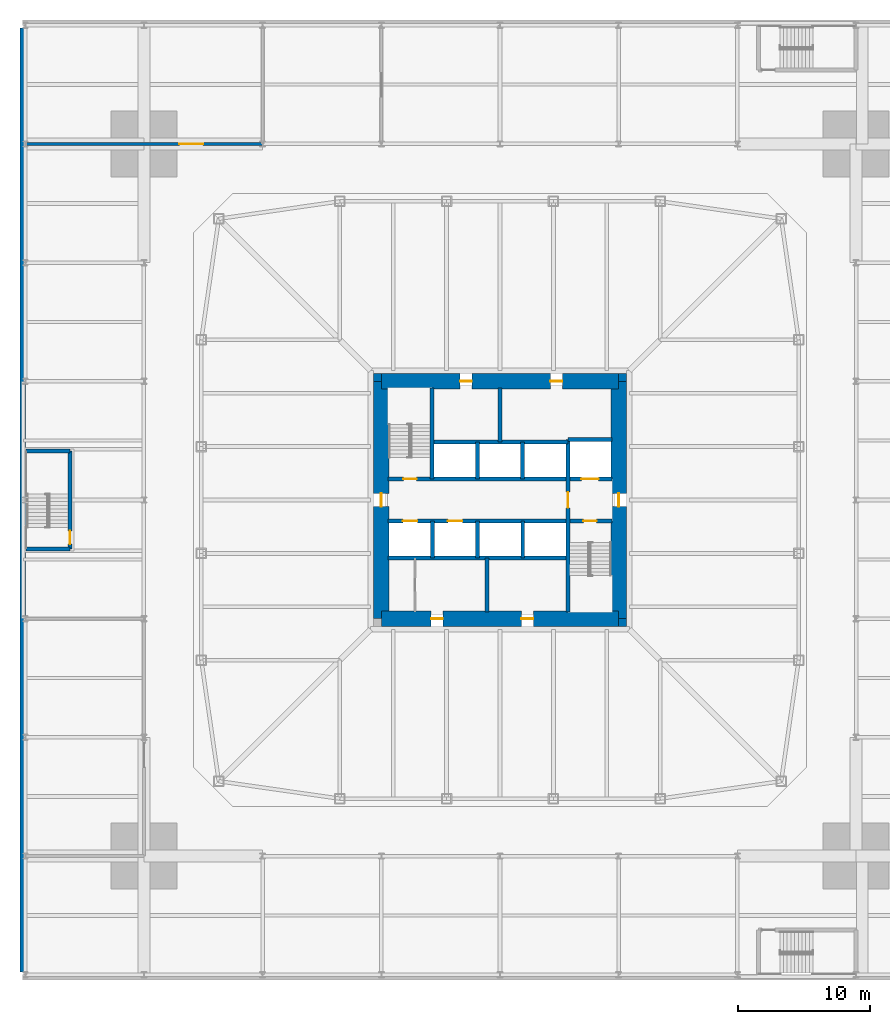
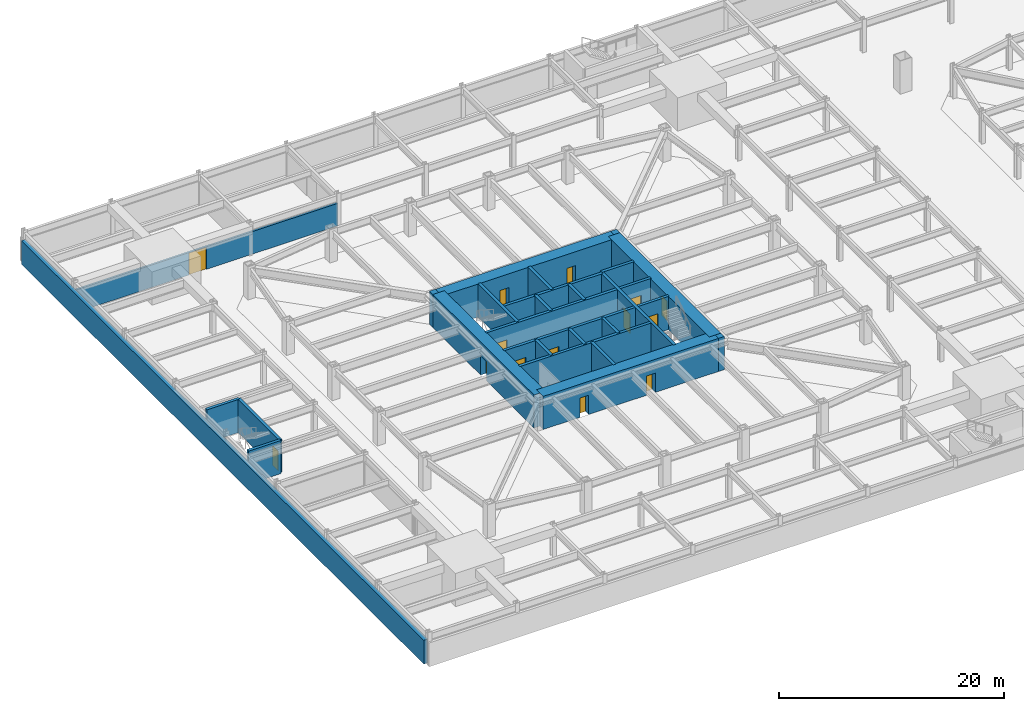
# One storey, part 12 of 17: 26 walls, 14 doors, 14 openings.
"""IFC4 building model written with IfcOpenShell, lengths in metres."""

from ifc_helpers import new_model, si_unit, direction, frame, frame_2d, origin, place, context, subcontext, project, spatial, rectangle, extrude, material, layer, layer_set, type_object, element, fill, save


model = new_model("IFC4")

# Units and contexts
model_context = context("Model", 3, precision=1e-05, world=origin(), true_north=direction((0.0, 1.0)))
body_context = subcontext(model_context, "Body", "Model", "MODEL_VIEW")
ifc_project = project(units=[si_unit("LENGTHUNIT", "METRE"), si_unit("AREAUNIT", "SQUARE_METRE"), si_unit("VOLUMEUNIT", "CUBIC_METRE"), si_unit("PLANEANGLEUNIT", "RADIAN"), si_unit("MASSUNIT", "GRAM", prefix="KILO")], contexts=[model_context])

# Site, building, storey
site_placement = place(None, origin())
site = spatial("IfcSite", under=ifc_project, at=site_placement, CompositionType="ELEMENT")
building_placement = place(site_placement, origin())
building = spatial("IfcBuilding", under=site, at=building_placement, Name="Iwan Alto Co-Living Towers", CompositionType="ELEMENT")
storey_placement = place(building_placement, frame((0.0, 0.0, -3.60009765625)))
storey = spatial("IfcBuildingStorey", under=building, at=storey_placement, Name="B1", CompositionType="ELEMENT", Elevation=-3.60009765625)

# Wall
ifc_material_1 = material(Name="Concrete f'c 70 MPa", Category="concrete")
ifc_layer_1 = layer(ifc_material_1, 0.39990234375)
ifc_layer_set_1 = layer_set([ifc_layer_1], Name="BASEMENT RETAINING WALL 400")
wall_type_1 = type_object("IfcWallType", Name="BASEMENT RETAINING WALL 400", PredefinedType="SOLIDWALL", material=ifc_layer_set_1)
wall_1_placement = place(storey_placement, frame((-36.199951171875, 35.800048828125, 0.0), z_axis=(0.0, 0.0, 1.0), x_axis=(0.0, -1.0, 0.0)))
element("IfcWall", 1, at=wall_1_placement, inside=storey, type_object=wall_type_1, Name="Basement retaining wall W B1", PredefinedType="SOLIDWALL", context=body_context, shape_type="SweptSolid", body=[
    extrude(rectangle(XDim=71.60009765625, YDim=0.39990234375, at=frame_2d((35.800048828125, 0.0))), origin(), (0.0, 0.0, 1.0), 2.58056640625),
])

# Wall, opening, door
ifc_material_2 = material(Name="Concrete block masonry f*p 10 MPa", Category="masonry")
ifc_layer_2 = layer(ifc_material_2, 0.199951171875)
ifc_layer_set_2 = layer_set([ifc_layer_2], Name="PODIUM INTERNAL WALL 200")
wall_type_2 = type_object("IfcWallType", Name="PODIUM INTERNAL WALL 200", PredefinedType="SOLIDWALL", material=ifc_layer_set_2)
wall_2_placement = place(storey_placement, frame((-35.93994140625, 27.0, 0.0), z_axis=(0.0, 0.0, 1.0), x_axis=(1.0, 0.0, 0.0)))
wall_2 = element("IfcWall", 2, at=wall_2_placement, inside=storey, type_object=wall_type_2, Name="Partition B1", PredefinedType="SOLIDWALL", context=body_context, shape_type="SweptSolid", body=[
    extrude(rectangle(XDim=26.93994140625, YDim=0.199951171875, at=frame_2d((13.469970703125, 0.0))), origin(), (0.0, 0.0, 1.0), 2.4501953125),
])
opening_1_placement = place(wall_2_placement, frame((11.6201171875, 0.0, 0.0)))
opening_1 = element("IfcOpeningElement", 3, at=opening_1_placement, cuts=wall_2, Name="Opening D10", PredefinedType="OPENING", context=body_context, shape_type="SweptSolid", body=[
    extrude(rectangle(XDim=1.800048828125, YDim=2.39990234375, at=frame_2d((0.89990234375, 1.199951171875))), frame((0.0, 0.10986328125, 0.0), z_axis=(0.0, -1.0, 0.0), x_axis=(1.0, 0.0, 0.0)), (0.0, 0.0, 1.0), 0.219970703125),
])
ifc_material_3 = material(Name="Steel frame with timber leaf", Category="steel")
door_type_1 = type_object("IfcDoorType", Name="PLANT ROOM DOOR FD60 1800X2400", OperationType="DOUBLE_DOOR_SINGLE_SWING", PredefinedType="DOOR", material=ifc_material_3)
door_1_placement = place(opening_1_placement, origin())
door_1 = element("IfcDoor", 4, at=door_1_placement, inside=storey, type_object=door_type_1, Name="Electrical substation door B1", OperationType="DOUBLE_DOOR_SINGLE_SWING", OverallHeight=2.39990234375, OverallWidth=1.800048828125, PredefinedType="DOOR", context=body_context, shape_type="SweptSolid", body=[
    extrude(rectangle(XDim=1.800048828125, YDim=2.39990234375, at=frame_2d((0.89990234375, 1.199951171875))), frame((0.0, 0.02490234375, 0.0), z_axis=(0.0, -1.0, 0.0), x_axis=(1.0, 0.0, 0.0)), (0.0, 0.0, 1.0), 0.050048828125),
])
fill(opening_1, door_1)

# Walls
ifc_material_4 = material(Name="Concrete f'c 70 MPa", Category="concrete")
ifc_layer_3 = layer(ifc_material_4, 0.300048828125)
ifc_layer_set_3 = layer_set([ifc_layer_3], Name="SHAFT WALL 300")
wall_type_3 = type_object("IfcWallType", Name="SHAFT WALL 300", PredefinedType="SOLIDWALL", material=ifc_layer_set_3)
wall_3_placement = place(storey_placement, frame((-8.489990234375, -4.39990234375, 0.0), z_axis=(0.0, 0.0, 1.0), x_axis=(1.0, 0.0, 0.0)))
element("IfcWall", 5, at=wall_3_placement, inside=storey, type_object=wall_type_3, Name="Shaft wall B1", PredefinedType="SOLIDWALL", context=body_context, shape_type="SweptSolid", body=[
    extrude(rectangle(XDim=13.639892578125, YDim=0.300048828125, at=frame_2d((6.81982421875, 0.0))), origin(), (0.0, 0.0, 1.0), 3.60009765625),
])
wall_4_placement = place(storey_placement, frame((-35.93994140625, -3.699951171875, 0.0), z_axis=(0.0, 0.0, 1.0), x_axis=(1.0, 0.0, 0.0)))
element("IfcWall", 6, at=wall_4_placement, inside=storey, type_object=wall_type_3, Name="Shaft wall B1", PredefinedType="SOLIDWALL", context=body_context, shape_type="SweptSolid", body=[
    extrude(rectangle(XDim=3.33984375, YDim=0.300048828125, at=frame_2d((1.669921875, 0.0))), origin(), (0.0, 0.0, 1.0), 3.60009765625),
])

# Wall, openings, doors
wall_5_placement = place(storey_placement, frame((-8.489990234375, -1.60009765625, 0.0), z_axis=(0.0, 0.0, 1.0), x_axis=(1.0, 0.0, 0.0)))
wall_5 = element("IfcWall", 7, at=wall_5_placement, inside=storey, type_object=wall_type_3, Name="Shaft wall B1", PredefinedType="SOLIDWALL", context=body_context, shape_type="SweptSolid", body=[
    extrude(rectangle(XDim=16.97998046875, YDim=0.300048828125, at=frame_2d((8.489990234375, 0.0))), origin(), (0.0, 0.0, 1.0), 3.60009765625),
])
opening_2_placement = place(wall_5_placement, frame((14.81005859375, 0.0, 0.0)))
opening_2 = element("IfcOpeningElement", 8, at=opening_2_placement, cuts=wall_5, Name="Opening D5", PredefinedType="OPENING", context=body_context, shape_type="SweptSolid", body=[
    extrude(rectangle(XDim=1.0, YDim=2.10009765625, at=frame_2d((0.5, 1.050048828125))), frame((0.0, 0.159912109375, 0.0), z_axis=(0.0, -1.0, 0.0), x_axis=(1.0, 0.0, 0.0)), (0.0, 0.0, 1.0), 0.320068359375),
])
opening_3_placement = place(wall_5_placement, frame((1.133056640625, 0.0, 0.0)))
opening_3 = element("IfcOpeningElement", 9, at=opening_3_placement, cuts=wall_5, Name="Opening LD", PredefinedType="OPENING", context=body_context, shape_type="SweptSolid", body=[
    extrude(rectangle(XDim=1.10009765625, YDim=2.10009765625, at=frame_2d((0.550048828125, 1.050048828125))), frame((0.0, 0.159912109375, 0.0), z_axis=(0.0, -1.0, 0.0), x_axis=(1.0, 0.0, 0.0)), (0.0, 0.0, 1.0), 0.320068359375),
])
opening_4_placement = place(wall_5_placement, frame((4.528076171875, 0.0, 0.0)))
opening_4 = element("IfcOpeningElement", 10, at=opening_4_placement, cuts=wall_5, Name="Opening LD", PredefinedType="OPENING", context=body_context, shape_type="SweptSolid", body=[
    extrude(rectangle(XDim=1.10009765625, YDim=2.10009765625, at=frame_2d((0.550048828125, 1.050048828125))), frame((0.0, 0.159912109375, 0.0), z_axis=(0.0, -1.0, 0.0), x_axis=(1.0, 0.0, 0.0)), (0.0, 0.0, 1.0), 0.320068359375),
])
ifc_material_5 = material(Name="Steel frame with timber leaf", Category="steel")
door_type_2 = type_object("IfcDoorType", Name="LIFT LANDING DOOR 1100X2100", OperationType="DOUBLE_DOOR_SLIDING", PredefinedType="DOOR", material=ifc_material_5)
door_2_placement = place(opening_3_placement, origin())
door_2 = element("IfcDoor", 11, at=door_2_placement, inside=storey, type_object=door_type_2, Name="Lift P1-1 landing door B1", OperationType="DOUBLE_DOOR_SLIDING", OverallHeight=2.10009765625, OverallWidth=1.10009765625, PredefinedType="DOOR", context=body_context, shape_type="SweptSolid", body=[
    extrude(rectangle(XDim=1.10009765625, YDim=2.10009765625, at=frame_2d((0.550048828125, 1.050048828125))), frame((0.0, 0.02490234375, 0.0), z_axis=(0.0, -1.0, 0.0), x_axis=(1.0, 0.0, 0.0)), (0.0, 0.0, 1.0), 0.050048828125),
])
fill(opening_3, door_2)
door_3_placement = place(opening_4_placement, origin())
door_3 = element("IfcDoor", 12, at=door_3_placement, inside=storey, type_object=door_type_2, Name="Lift P1-2 landing door B1", OperationType="DOUBLE_DOOR_SLIDING", OverallHeight=2.10009765625, OverallWidth=1.10009765625, PredefinedType="DOOR", context=body_context, shape_type="SweptSolid", body=[
    extrude(rectangle(XDim=1.10009765625, YDim=2.10009765625, at=frame_2d((0.550048828125, 1.050048828125))), frame((0.0, 0.02490234375, 0.0), z_axis=(0.0, -1.0, 0.0), x_axis=(1.0, 0.0, 0.0)), (0.0, 0.0, 1.0), 0.050048828125),
])
fill(opening_4, door_3)
ifc_material_6 = material(Name="Steel frame with timber leaf", Category="steel")
door_type_3 = type_object("IfcDoorType", Name="STAIR DOOR FD120S 1000X2100", OperationType="SINGLE_SWING_LEFT", PredefinedType="DOOR", material=ifc_material_6)
door_4_placement = place(opening_2_placement, frame((1.0, 0.0, 0.0), z_axis=(0.0, 0.0, 1.0), x_axis=(-1.0, 0.0, 0.0)))
door_4 = element("IfcDoor", 13, at=door_4_placement, inside=storey, type_object=door_type_3, Name="Stair S2 door B1", OperationType="SINGLE_SWING_RIGHT", OverallHeight=2.10009765625, OverallWidth=1.0, PredefinedType="DOOR", context=body_context, shape_type="SweptSolid", body=[
    extrude(rectangle(XDim=1.0, YDim=2.10009765625, at=frame_2d((0.5, 1.050048828125))), frame((0.0, 0.02490234375, 0.0), z_axis=(0.0, -1.0, 0.0), x_axis=(1.0, 0.0, 0.0)), (0.0, 0.0, 1.0), 0.050048828125),
])
fill(opening_2, door_4)

wall_6_placement = place(storey_placement, frame((-8.489990234375, 1.60009765625, 0.0), z_axis=(0.0, 0.0, 1.0), x_axis=(1.0, 0.0, 0.0)))
wall_6 = element("IfcWall", 14, at=wall_6_placement, inside=storey, type_object=wall_type_3, Name="Shaft wall B1", PredefinedType="SOLIDWALL", context=body_context, shape_type="SweptSolid", body=[
    extrude(rectangle(XDim=16.97998046875, YDim=0.300048828125, at=frame_2d((8.489990234375, 0.0))), origin(), (0.0, 0.0, 1.0), 3.60009765625),
])
opening_5_placement = place(wall_6_placement, frame((1.169921875, 0.0, 0.0)))
opening_5 = element("IfcOpeningElement", 15, at=opening_5_placement, cuts=wall_6, Name="Opening D5", PredefinedType="OPENING", context=body_context, shape_type="SweptSolid", body=[
    extrude(rectangle(XDim=1.0, YDim=2.10009765625, at=frame_2d((0.5, 1.050048828125))), frame((0.0, 0.159912109375, 0.0), z_axis=(0.0, -1.0, 0.0), x_axis=(1.0, 0.0, 0.0)), (0.0, 0.0, 1.0), 0.320068359375),
])
opening_6_placement = place(wall_6_placement, frame((14.659912109375, 0.0, 0.0)))
opening_6 = element("IfcOpeningElement", 16, at=opening_6_placement, cuts=wall_6, Name="Opening LD2", PredefinedType="OPENING", context=body_context, shape_type="SweptSolid", body=[
    extrude(rectangle(XDim=1.300048828125, YDim=2.10009765625, at=frame_2d((0.64990234375, 1.050048828125))), frame((0.0, 0.159912109375, 0.0), z_axis=(0.0, -1.0, 0.0), x_axis=(1.0, 0.0, 0.0)), (0.0, 0.0, 1.0), 0.320068359375),
])
ifc_material_7 = material(Name="Steel frame with timber leaf", Category="steel")
door_type_4 = type_object("IfcDoorType", Name="LIFT LANDING DOOR 1300X2100", OperationType="SLIDING_TO_LEFT", PredefinedType="DOOR", material=ifc_material_7)
door_5_placement = place(opening_6_placement, origin())
door_5 = element("IfcDoor", 17, at=door_5_placement, inside=storey, type_object=door_type_4, Name="Lift FL1 landing door B1", OperationType="SLIDING_TO_LEFT", OverallHeight=2.10009765625, OverallWidth=1.300048828125, PredefinedType="DOOR", context=body_context, shape_type="SweptSolid", body=[
    extrude(rectangle(XDim=1.300048828125, YDim=2.10009765625, at=frame_2d((0.64990234375, 1.050048828125))), frame((0.0, 0.02490234375, 0.0), z_axis=(0.0, -1.0, 0.0), x_axis=(1.0, 0.0, 0.0)), (0.0, 0.0, 1.0), 0.050048828125),
])
fill(opening_6, door_5)
door_6_placement = place(opening_5_placement, origin())
door_6 = element("IfcDoor", 18, at=door_6_placement, inside=storey, type_object=door_type_3, Name="Stair S1 door B1", OperationType="SINGLE_SWING_RIGHT", OverallHeight=2.10009765625, OverallWidth=1.0, PredefinedType="DOOR", context=body_context, shape_type="SweptSolid", body=[
    extrude(rectangle(XDim=1.0, YDim=2.10009765625, at=frame_2d((0.5, 1.050048828125))), frame((0.0, 0.02490234375, 0.0), z_axis=(0.0, -1.0, 0.0), x_axis=(1.0, 0.0, 0.0)), (0.0, 0.0, 1.0), 0.050048828125),
])
fill(opening_5, door_6)

# Walls
wall_7_placement = place(storey_placement, frame((-35.93994140625, 3.699951171875, 0.0), z_axis=(0.0, 0.0, 1.0), x_axis=(1.0, 0.0, 0.0)))
element("IfcWall", 19, at=wall_7_placement, inside=storey, type_object=wall_type_3, Name="Shaft wall B1", PredefinedType="SOLIDWALL", context=body_context, shape_type="SweptSolid", body=[
    extrude(rectangle(XDim=3.33984375, YDim=0.300048828125, at=frame_2d((1.669921875, 0.0))), origin(), (0.0, 0.0, 1.0), 3.60009765625),
])
wall_8_placement = place(storey_placement, frame((-5.14990234375, 4.39990234375, 0.0), z_axis=(0.0, 0.0, 1.0), x_axis=(1.0, 0.0, 0.0)))
element("IfcWall", 20, at=wall_8_placement, inside=storey, type_object=wall_type_3, Name="Shaft wall B1", PredefinedType="SOLIDWALL", context=body_context, shape_type="SweptSolid", body=[
    extrude(rectangle(XDim=10.2998046875, YDim=0.300048828125, at=frame_2d((5.14990234375, 0.0))), origin(), (0.0, 0.0, 1.0), 3.60009765625),
])
wall_9_placement = place(storey_placement, frame((5.14990234375, 4.60009765625, 0.0), z_axis=(0.0, 0.0, 1.0), x_axis=(1.0, 0.0, 0.0)))
element("IfcWall", 21, at=wall_9_placement, inside=storey, type_object=wall_type_3, Name="Shaft wall B1", PredefinedType="SOLIDWALL", context=body_context, shape_type="SweptSolid", body=[
    extrude(rectangle(XDim=3.340087890625, YDim=0.300048828125, at=frame_2d((1.669921875, 0.0))), origin(), (0.0, 0.0, 1.0), 3.60009765625),
])

# Wall, opening, door
wall_10_placement = place(storey_placement, frame((5.14990234375, -8.489990234375, 0.0), z_axis=(0.0, 0.0, 1.0), x_axis=(0.0, 1.0, 0.0)))
wall_10 = element("IfcWall", 22, at=wall_10_placement, inside=storey, type_object=wall_type_3, Name="Shaft wall B1", PredefinedType="SOLIDWALL", context=body_context, shape_type="SweptSolid", body=[
    extrude(rectangle(XDim=13.090087890625, YDim=0.300048828125, at=frame_2d((6.544921875, 0.0))), origin(), (0.0, 0.0, 1.0), 3.60009765625),
])
opening_7_placement = place(wall_10_placement, frame((7.889892578125, 0.0, 0.0)))
opening_7 = element("IfcOpeningElement", 23, at=opening_7_placement, cuts=wall_10, Name="Opening D6", PredefinedType="OPENING", context=body_context, shape_type="SweptSolid", body=[
    extrude(rectangle(XDim=1.199951171875, YDim=2.10009765625, at=frame_2d((0.60009765625, 1.050048828125))), frame((0.0, 0.159912109375, 0.0), z_axis=(0.0, -1.0, 0.0), x_axis=(1.0, 0.0, 0.0)), (0.0, 0.0, 1.0), 0.320068359375),
])
ifc_material_8 = material(Name="Steel frame with timber leaf", Category="steel")
door_type_5 = type_object("IfcDoorType", Name="LOBBY DOOR FD120S 1200X2100", OperationType="SINGLE_SWING_LEFT", PredefinedType="DOOR", material=ifc_material_8)
door_7_placement = place(opening_7_placement, frame((1.199951171875, 0.0, 0.0), z_axis=(0.0, 0.0, 1.0), x_axis=(-1.0, 0.0, 0.0)))
door_7 = element("IfcDoor", 24, at=door_7_placement, inside=storey, type_object=door_type_5, Name="Firefighting lobby door B1", OperationType="SINGLE_SWING_RIGHT", OverallHeight=2.10009765625, OverallWidth=1.199951171875, PredefinedType="DOOR", context=body_context, shape_type="SweptSolid", body=[
    extrude(rectangle(XDim=1.199951171875, YDim=2.10009765625, at=frame_2d((0.60009765625, 1.050048828125))), frame((0.0, 0.02490234375, 0.0), z_axis=(0.0, -1.0, 0.0), x_axis=(1.0, 0.0, 0.0)), (0.0, 0.0, 1.0), 0.050048828125),
])
fill(opening_7, door_7)

# Walls
for number, where, z_axis, x_axis, name in (
    (25, (1.72509765625, -4.39990234375, 0.0), (0.0, 0.0, 1.0), (0.0, 1.0, 0.0), "Shaft wall B1"),
    (26, (1.717041015625, 1.60009765625, 0.0), (0.0, 0.0, 1.0), (0.0, 1.0, 0.0), "Shaft wall B1"),
):
    element("IfcWall", number, at=place(storey_placement, frame(where, z_axis=z_axis, x_axis=x_axis)), inside=storey, type_object=wall_type_3, Name=name, PredefinedType="SOLIDWALL", context=body_context, shape_type="SweptSolid", body=[
        extrude(rectangle(XDim=2.7998046875, YDim=0.300048828125, at=frame_2d((1.39990234375, 0.0))), origin(), (0.0, 0.0, 1.0), 3.60009765625),
    ])
for number, where, z_axis, x_axis, name in (
    (27, (0.0, 4.39990234375, 0.0), (0.0, 0.0, 1.0), (0.0, 1.0, 0.0), "Shaft wall B1"),
    (28, (-1.0, -8.489990234375, 0.0), (0.0, 0.0, 1.0), (0.0, 1.0, 0.0), "Shaft wall B1"),
):
    element("IfcWall", number, at=place(storey_placement, frame(where, z_axis=z_axis, x_axis=x_axis)), inside=storey, type_object=wall_type_3, Name=name, PredefinedType="SOLIDWALL", context=body_context, shape_type="SweptSolid", body=[
        extrude(rectangle(XDim=4.090087890625, YDim=0.300048828125, at=frame_2d((2.044921875, 0.0))), origin(), (0.0, 0.0, 1.0), 3.60009765625),
    ])
for number, where, z_axis, x_axis, name in (
    (29, (-1.699951171875, -4.39990234375, 0.0), (0.0, 0.0, 1.0), (0.0, 1.0, 0.0), "Shaft wall B1"),
    (30, (-1.717041015625, 1.60009765625, 0.0), (0.0, 0.0, 1.0), (0.0, 1.0, 0.0), "Shaft wall B1"),
    (31, (-5.125, -4.39990234375, 0.0), (0.0, 0.0, 1.0), (0.0, 1.0, 0.0), "Shaft wall B1"),
):
    element("IfcWall", number, at=place(storey_placement, frame(where, z_axis=z_axis, x_axis=x_axis)), inside=storey, type_object=wall_type_3, Name=name, PredefinedType="SOLIDWALL", context=body_context, shape_type="SweptSolid", body=[
        extrude(rectangle(XDim=2.7998046875, YDim=0.300048828125, at=frame_2d((1.39990234375, 0.0))), origin(), (0.0, 0.0, 1.0), 3.60009765625),
    ])
wall_11_placement = place(storey_placement, frame((-5.14990234375, 1.60009765625, 0.0), z_axis=(0.0, 0.0, 1.0), x_axis=(0.0, 1.0, 0.0)))
element("IfcWall", 32, at=wall_11_placement, inside=storey, type_object=wall_type_3, Name="Shaft wall B1", PredefinedType="SOLIDWALL", context=body_context, shape_type="SweptSolid", body=[
    extrude(rectangle(XDim=6.889892578125, YDim=0.300048828125, at=frame_2d((3.44482421875, 0.0))), origin(), (0.0, 0.0, 1.0), 3.60009765625),
])

# Wall, opening, door
wall_12_placement = place(storey_placement, frame((-32.60009765625, -3.699951171875, 0.0), z_axis=(0.0, 0.0, 1.0), x_axis=(0.0, 1.0, 0.0)))
wall_12 = element("IfcWall", 33, at=wall_12_placement, inside=storey, type_object=wall_type_3, Name="Shaft wall B1", PredefinedType="SOLIDWALL", context=body_context, shape_type="SweptSolid", body=[
    extrude(rectangle(XDim=7.39990234375, YDim=0.300048828125, at=frame_2d((3.699951171875, 0.0))), origin(), (0.0, 0.0, 1.0), 3.60009765625),
])
opening_8_placement = place(wall_12_placement, frame((0.35009765625, 0.0, 0.0)))
opening_8 = element("IfcOpeningElement", 34, at=opening_8_placement, cuts=wall_12, Name="Opening D5", PredefinedType="OPENING", context=body_context, shape_type="SweptSolid", body=[
    extrude(rectangle(XDim=1.0, YDim=2.10009765625, at=frame_2d((0.5, 1.050048828125))), frame((0.0, 0.159912109375, 0.0), z_axis=(0.0, -1.0, 0.0), x_axis=(1.0, 0.0, 0.0)), (0.0, 0.0, 1.0), 0.320068359375),
])
door_8_placement = place(opening_8_placement, origin())
door_8 = element("IfcDoor", 35, at=door_8_placement, inside=storey, type_object=door_type_3, Name="Stair PS1 door B1", OperationType="SINGLE_SWING_LEFT", OverallHeight=2.10009765625, OverallWidth=1.0, PredefinedType="DOOR", context=body_context, shape_type="SweptSolid", body=[
    extrude(rectangle(XDim=1.0, YDim=2.10009765625, at=frame_2d((0.5, 1.050048828125))), frame((0.0, 0.02490234375, 0.0), z_axis=(0.0, -1.0, 0.0), x_axis=(1.0, 0.0, 0.0)), (0.0, 0.0, 1.0), 0.050048828125),
])
fill(opening_8, door_8)

# Walls
ifc_material_9 = material(Name="Concrete f'c 70 MPa", Category="concrete")
ifc_layer_4 = layer(ifc_material_9, 0.60009765625)
ifc_layer_set_4 = layer_set([ifc_layer_4], Name="T1 CORE CORNER FILL 600")
wall_type_4 = type_object("IfcWallType", Name="T1 CORE CORNER FILL 600", PredefinedType="SOLIDWALL", material=ifc_layer_set_4)
for number, where, z_axis, x_axis, name in (
    (36, (9.0, -9.300048828125, 0.0), (0.0, 0.0, 1.0), (1.0, 0.0, 0.0), "T1 core corner SE B1"),
    (37, (9.0, 9.300048828125, 0.0), (0.0, 0.0, 1.0), (1.0, 0.0, 0.0), "T1 core corner NE B1"),
    (38, (-9.60009765625, 9.300048828125, 0.0), (0.0, 0.0, 1.0), (1.0, 0.0, 0.0), "T1 core corner NW B1"),
):
    element("IfcWall", number, at=place(storey_placement, frame(where, z_axis=z_axis, x_axis=x_axis)), inside=storey, type_object=wall_type_4, Name=name, PredefinedType="SOLIDWALL", context=body_context, shape_type="SweptSolid", body=[
        extrude(rectangle(XDim=0.60009765625, YDim=0.60009765625, at=frame_2d((0.300048828125, 0.0))), origin(), (0.0, 0.0, 1.0), 3.60009765625),
    ])

# Wall, openings, doors
ifc_material_10 = material(Name="Concrete f'c 70 MPa", Category="concrete")
ifc_layer_5 = layer(ifc_material_10, 1.199951171875)
ifc_layer_set_5 = layer_set([ifc_layer_5], Name="T1 CORE WALL 1200")
wall_type_5 = type_object("IfcWallType", Name="T1 CORE WALL 1200", PredefinedType="SHEAR", material=ifc_layer_set_5)
wall_13_placement = place(storey_placement, frame((-9.0, -9.0, 0.0), z_axis=(0.0, 0.0, 1.0), x_axis=(1.0, 0.0, 0.0)))
wall_13 = element("IfcWall", 39, at=wall_13_placement, inside=storey, type_object=wall_type_5, Name="T1 core wall S B1", PredefinedType="SHEAR", context=body_context, shape_type="SweptSolid", body=[
    extrude(rectangle(XDim=18.0, YDim=1.199951171875, at=frame_2d((9.0, 0.0))), origin(), (0.0, 0.0, 1.0), 3.60009765625),
])
opening_9_placement = place(wall_13_placement, frame((3.77490234375, 0.0, 0.0)))
opening_9 = element("IfcOpeningElement", 40, at=opening_9_placement, cuts=wall_13, Name="Opening D8", PredefinedType="OPENING", context=body_context, shape_type="SweptSolid", body=[
    extrude(rectangle(XDim=0.89990234375, YDim=2.10009765625, at=frame_2d((0.449951171875, 1.050048828125))), frame((0.0, 0.60986328125, 0.0), z_axis=(0.0, -1.0, 0.0), x_axis=(1.0, 0.0, 0.0)), (0.0, 0.0, 1.0), 1.219970703125),
])
opening_10_placement = place(wall_13_placement, frame((10.625, 0.0, 0.0)))
opening_10 = element("IfcOpeningElement", 41, at=opening_10_placement, cuts=wall_13, Name="Opening D8", PredefinedType="OPENING", context=body_context, shape_type="SweptSolid", body=[
    extrude(rectangle(XDim=0.89990234375, YDim=2.10009765625, at=frame_2d((0.449951171875, 1.050048828125))), frame((0.0, 0.60986328125, 0.0), z_axis=(0.0, -1.0, 0.0), x_axis=(1.0, 0.0, 0.0)), (0.0, 0.0, 1.0), 1.219970703125),
])
ifc_material_11 = material(Name="Steel frame with timber leaf", Category="steel")
door_type_6 = type_object("IfcDoorType", Name="RISER DOOR FD120 900X2100", OperationType="SINGLE_SWING_LEFT", PredefinedType="DOOR", material=ifc_material_11)
door_9_placement = place(opening_9_placement, origin())
door_9 = element("IfcDoor", 42, at=door_9_placement, inside=storey, type_object=door_type_6, Name="Refuse room core door B1", OperationType="SINGLE_SWING_LEFT", OverallHeight=2.10009765625, OverallWidth=0.89990234375, PredefinedType="DOOR", context=body_context, shape_type="SweptSolid", body=[
    extrude(rectangle(XDim=0.89990234375, YDim=2.10009765625, at=frame_2d((0.449951171875, 1.050048828125))), frame((0.0, 0.02490234375, 0.0), z_axis=(0.0, -1.0, 0.0), x_axis=(1.0, 0.0, 0.0)), (0.0, 0.0, 1.0), 0.050048828125),
])
fill(opening_9, door_9)
door_10_placement = place(opening_10_placement, origin())
door_10 = element("IfcDoor", 43, at=door_10_placement, inside=storey, type_object=door_type_6, Name="Telecom riser core door B1", OperationType="SINGLE_SWING_LEFT", OverallHeight=2.10009765625, OverallWidth=0.89990234375, PredefinedType="DOOR", context=body_context, shape_type="SweptSolid", body=[
    extrude(rectangle(XDim=0.89990234375, YDim=2.10009765625, at=frame_2d((0.449951171875, 1.050048828125))), frame((0.0, 0.02490234375, 0.0), z_axis=(0.0, -1.0, 0.0), x_axis=(1.0, 0.0, 0.0)), (0.0, 0.0, 1.0), 0.050048828125),
])
fill(opening_10, door_10)

wall_14_placement = place(storey_placement, frame((9.0, 9.0, 0.0), z_axis=(0.0, 0.0, 1.0), x_axis=(-1.0, 0.0, 0.0)))
wall_14 = element("IfcWall", 44, at=wall_14_placement, inside=storey, type_object=wall_type_5, Name="T1 core wall N B1", PredefinedType="SHEAR", context=body_context, shape_type="SweptSolid", body=[
    extrude(rectangle(XDim=18.0, YDim=1.199951171875, at=frame_2d((9.0, 0.0))), origin(), (0.0, 0.0, 1.0), 3.60009765625),
])
opening_11_placement = place(wall_14_placement, frame((11.125, 0.0, 0.0)))
opening_11 = element("IfcOpeningElement", 45, at=opening_11_placement, cuts=wall_14, Name="Opening D8", PredefinedType="OPENING", context=body_context, shape_type="SweptSolid", body=[
    extrude(rectangle(XDim=0.89990234375, YDim=2.10009765625, at=frame_2d((0.449951171875, 1.050048828125))), frame((0.0, 0.60986328125, 0.0), z_axis=(0.0, -1.0, 0.0), x_axis=(1.0, 0.0, 0.0)), (0.0, 0.0, 1.0), 1.219970703125),
])
opening_12_placement = place(wall_14_placement, frame((4.27490234375, 0.0, 0.0)))
opening_12 = element("IfcOpeningElement", 46, at=opening_12_placement, cuts=wall_14, Name="Opening D8", PredefinedType="OPENING", context=body_context, shape_type="SweptSolid", body=[
    extrude(rectangle(XDim=0.89990234375, YDim=2.10009765625, at=frame_2d((0.449951171875, 1.050048828125))), frame((0.0, 0.60986328125, 0.0), z_axis=(0.0, -1.0, 0.0), x_axis=(1.0, 0.0, 0.0)), (0.0, 0.0, 1.0), 1.219970703125),
])
door_11_placement = place(opening_11_placement, origin())
door_11 = element("IfcDoor", 47, at=door_11_placement, inside=storey, type_object=door_type_6, Name="Electrical riser core door B1", OperationType="SINGLE_SWING_RIGHT", OverallHeight=2.10009765625, OverallWidth=0.89990234375, PredefinedType="DOOR", context=body_context, shape_type="SweptSolid", body=[
    extrude(rectangle(XDim=0.89990234375, YDim=2.10009765625, at=frame_2d((0.449951171875, 1.050048828125))), frame((0.0, 0.02490234375, 0.0), z_axis=(0.0, -1.0, 0.0), x_axis=(1.0, 0.0, 0.0)), (0.0, 0.0, 1.0), 0.050048828125),
])
fill(opening_11, door_11)
door_12_placement = place(opening_12_placement, origin())
door_12 = element("IfcDoor", 48, at=door_12_placement, inside=storey, type_object=door_type_6, Name="Water and drainage riser core door B1", OperationType="SINGLE_SWING_RIGHT", OverallHeight=2.10009765625, OverallWidth=0.89990234375, PredefinedType="DOOR", context=body_context, shape_type="SweptSolid", body=[
    extrude(rectangle(XDim=0.89990234375, YDim=2.10009765625, at=frame_2d((0.449951171875, 1.050048828125))), frame((0.0, 0.02490234375, 0.0), z_axis=(0.0, -1.0, 0.0), x_axis=(1.0, 0.0, 0.0)), (0.0, 0.0, 1.0), 0.050048828125),
])
fill(opening_12, door_12)

# Wall, opening, door
wall_15_placement = place(storey_placement, frame((9.0, -9.0, 0.0), z_axis=(0.0, 0.0, 1.0), x_axis=(0.0, 1.0, 0.0)))
wall_15 = element("IfcWall", 49, at=wall_15_placement, inside=storey, type_object=wall_type_5, Name="T1 core wall E B1", PredefinedType="SHEAR", context=body_context, shape_type="SweptSolid", body=[
    extrude(rectangle(XDim=18.0, YDim=1.199951171875, at=frame_2d((9.0, 0.0))), origin(), (0.0, 0.0, 1.0), 3.60009765625),
])
opening_13_placement = place(wall_15_placement, frame((8.5, 0.0, 0.0)))
opening_13 = element("IfcOpeningElement", 50, at=opening_13_placement, cuts=wall_15, Name="Opening D7", PredefinedType="OPENING", context=body_context, shape_type="SweptSolid", body=[
    extrude(rectangle(XDim=1.0, YDim=2.10009765625, at=frame_2d((0.5, 1.050048828125))), frame((0.0, 0.60986328125, 0.0), z_axis=(0.0, -1.0, 0.0), x_axis=(1.0, 0.0, 0.0)), (0.0, 0.0, 1.0), 1.219970703125),
])
ifc_material_12 = material(Name="Steel frame with timber leaf", Category="steel")
door_type_7 = type_object("IfcDoorType", Name="CORE DOOR FD120S 1000X2100", OperationType="SINGLE_SWING_LEFT", PredefinedType="DOOR", material=ifc_material_12)
door_13_placement = place(opening_13_placement, origin())
door_13 = element("IfcDoor", 51, at=door_13_placement, inside=storey, type_object=door_type_7, Name="Firefighting lobby core door B1", OperationType="SINGLE_SWING_LEFT", OverallHeight=2.10009765625, OverallWidth=1.0, PredefinedType="DOOR", context=body_context, shape_type="SweptSolid", body=[
    extrude(rectangle(XDim=1.0, YDim=2.10009765625, at=frame_2d((0.5, 1.050048828125))), frame((0.0, 0.02490234375, 0.0), z_axis=(0.0, -1.0, 0.0), x_axis=(1.0, 0.0, 0.0)), (0.0, 0.0, 1.0), 0.050048828125),
])
fill(opening_13, door_13)

wall_16_placement = place(storey_placement, frame((-9.0, 9.0, 0.0), z_axis=(0.0, 0.0, 1.0), x_axis=(0.0, -1.0, 0.0)))
wall_16 = element("IfcWall", 52, at=wall_16_placement, inside=storey, type_object=wall_type_5, Name="T1 core wall W B1", PredefinedType="SHEAR", context=body_context, shape_type="SweptSolid", body=[
    extrude(rectangle(XDim=18.0, YDim=1.199951171875, at=frame_2d((9.0, 0.0))), origin(), (0.0, 0.0, 1.0), 3.60009765625),
])
opening_14_placement = place(wall_16_placement, frame((8.5, 0.0, 0.0)))
opening_14 = element("IfcOpeningElement", 53, at=opening_14_placement, cuts=wall_16, Name="Opening D7", PredefinedType="OPENING", context=body_context, shape_type="SweptSolid", body=[
    extrude(rectangle(XDim=1.0, YDim=2.10009765625, at=frame_2d((0.5, 1.050048828125))), frame((0.0, 0.60986328125, 0.0), z_axis=(0.0, -1.0, 0.0), x_axis=(1.0, 0.0, 0.0)), (0.0, 0.0, 1.0), 1.219970703125),
])
door_14_placement = place(opening_14_placement, origin())
door_14 = element("IfcDoor", 54, at=door_14_placement, inside=storey, type_object=door_type_7, Name="Lift lobby core door B1", OperationType="SINGLE_SWING_RIGHT", OverallHeight=2.10009765625, OverallWidth=1.0, PredefinedType="DOOR", context=body_context, shape_type="SweptSolid", body=[
    extrude(rectangle(XDim=1.0, YDim=2.10009765625, at=frame_2d((0.5, 1.050048828125))), frame((0.0, 0.02490234375, 0.0), z_axis=(0.0, -1.0, 0.0), x_axis=(1.0, 0.0, 0.0)), (0.0, 0.0, 1.0), 0.050048828125),
])
fill(opening_14, door_14)

save(model, "model.ifc")
